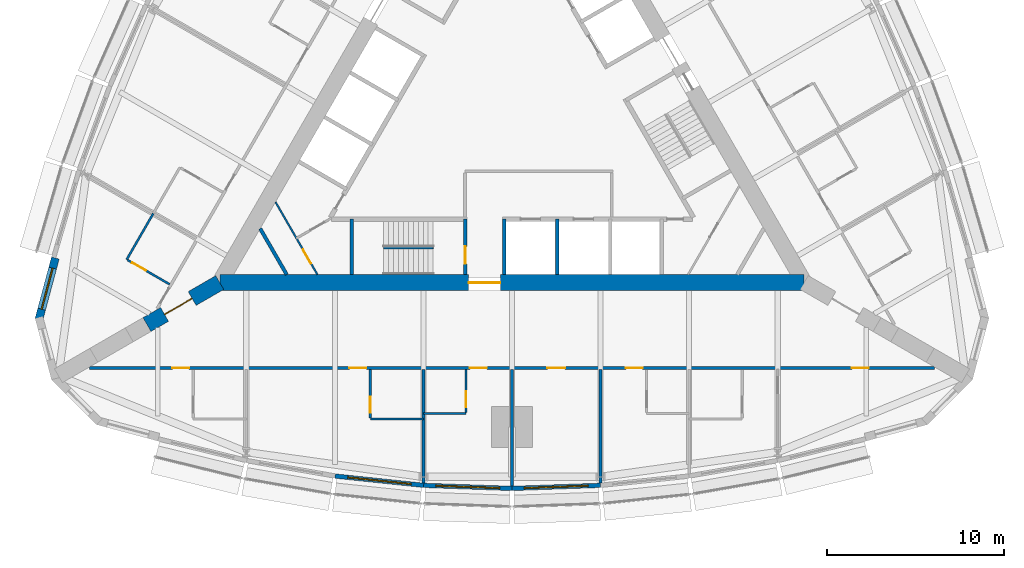
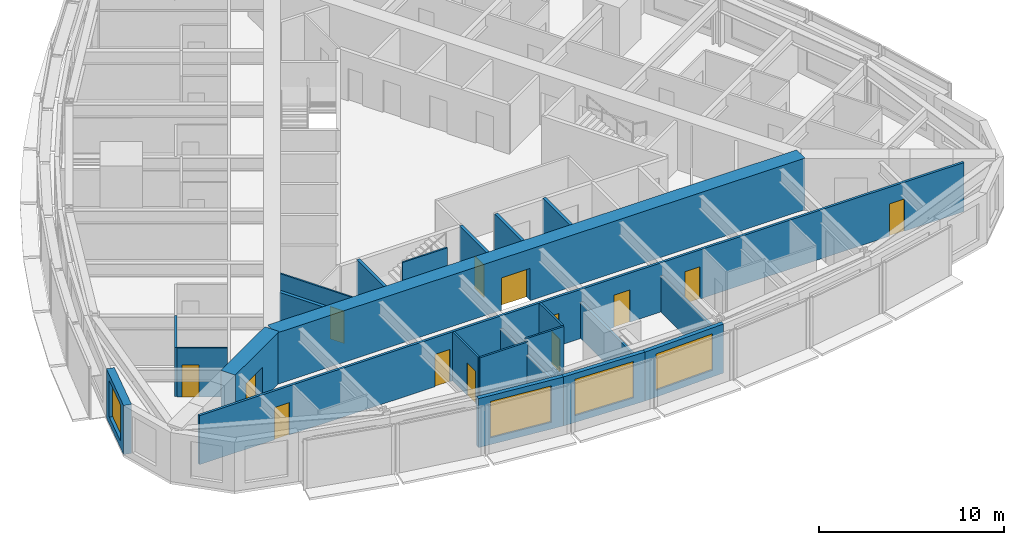
# One storey, part 8 of 14: 23 walls, 13 doors, 4 windows, 17 openings.
"""IFC4 building model written with IfcOpenShell, lengths in metres."""

from ifc_helpers import new_model, si_unit, direction, frame, frame_2d, origin, place, context, subcontext, project, spatial, rectangle, extrude, material, layer, layer_set, type_object, element, fill, save


model = new_model("IFC4")

# Units and contexts
model_context = context("Model", 3, precision=1e-05, world=origin(), true_north=direction((0.0, 1.0)))
body_context = subcontext(model_context, "Body", "Model", "MODEL_VIEW")
ifc_project = project(units=[si_unit("LENGTHUNIT", "METRE"), si_unit("AREAUNIT", "SQUARE_METRE"), si_unit("VOLUMEUNIT", "CUBIC_METRE"), si_unit("PLANEANGLEUNIT", "RADIAN"), si_unit("MASSUNIT", "GRAM", prefix="KILO")], contexts=[model_context])

# Site, building, storey
site_placement = place(None, origin())
site = spatial("IfcSite", under=ifc_project, at=site_placement, CompositionType="ELEMENT")
building_placement = place(site_placement, origin())
building = spatial("IfcBuilding", under=site, at=building_placement, Name="Trikona Tower", CompositionType="ELEMENT")
storey_placement = place(building_placement, frame((0.0, 0.0, 128.300048828125)))
storey = spatial("IfcBuildingStorey", under=building, at=storey_placement, Name="L33", CompositionType="ELEMENT", Elevation=128.300048828125)

# Wall
ifc_material_1 = material(Name="Metal stud and cement board", Category="gypsum")
ifc_layer_1 = layer(ifc_material_1, 0.1201171875)
ifc_layer_set_1 = layer_set([ifc_layer_1], Name="Bathroom wall 120")
wall_type_1 = type_object("IfcWallType", Name="Bathroom wall 120", PredefinedType="PLUMBINGWALL", material=ifc_layer_set_1)
wall_1_placement = place(storey_placement, frame((-8.0, -17.226318359375, 0.0), z_axis=(0.0, 0.0, 1.0), x_axis=(1.0, 0.0, 0.0)))
element("IfcWall", 1, at=wall_1_placement, inside=storey, type_object=wall_type_1, Name="Bathroom wall 3302", PredefinedType="PLUMBINGWALL", context=body_context, shape_type="SweptSolid", body=[
    extrude(rectangle(XDim=3.0, YDim=0.1201171875, at=frame_2d((1.5, 0.0))), origin(), (0.0, 0.0, 1.0), 3.23486328125),
])

# Wall, opening, door
wall_2_placement = place(storey_placement, frame((-8.0, -14.42626953125, 0.0), z_axis=(0.0, 0.0, 1.0), x_axis=(0.0, -1.0, 0.0)))
wall_2 = element("IfcWall", 2, at=wall_2_placement, inside=storey, type_object=wall_type_1, Name="Bathroom wall 3302", PredefinedType="PLUMBINGWALL", context=body_context, shape_type="SweptSolid", body=[
    extrude(rectangle(XDim=2.739990234375, YDim=0.1201171875, at=frame_2d((1.3701171875, 0.0))), origin(), (0.0, 0.0, 1.0), 3.23486328125),
])
opening_1_placement = place(wall_2_placement, frame((1.550048828125, 0.0, 0.0)))
opening_1 = element("IfcOpeningElement", 3, at=opening_1_placement, cuts=wall_2, Name="Opening D2", PredefinedType="OPENING", context=body_context, shape_type="SweptSolid", body=[
    extrude(rectangle(XDim=0.89990234375, YDim=2.1298828125, at=frame_2d((0.449951171875, 1.06494140625))), frame((0.0, 0.070068359375, 0.0), z_axis=(0.0, -1.0, 0.0), x_axis=(1.0, 0.0, 0.0)), (0.0, 0.0, 1.0), 0.14013671875),
])
ifc_material_2 = material(Name="Steel door frame with solid-core timber leaf", Category="steel")
door_type_1 = type_object("IfcDoorType", Name="Bathroom door 900x2130", OperationType="SLIDING_TO_LEFT", PredefinedType="DOOR", material=ifc_material_2)
door_1_placement = place(opening_1_placement, origin())
door_1 = element("IfcDoor", 4, at=door_1_placement, inside=storey, type_object=door_type_1, Name="Bathroom door 3302", OperationType="SLIDING_TO_LEFT", OverallHeight=2.1298828125, OverallWidth=0.89990234375, PredefinedType="DOOR", context=body_context, shape_type="SweptSolid", body=[
    extrude(rectangle(XDim=0.89990234375, YDim=2.1298828125, at=frame_2d((0.449951171875, 1.06494140625))), frame((0.0, 0.02490234375, 0.0), z_axis=(0.0, -1.0, 0.0), x_axis=(1.0, 0.0, 0.0)), (0.0, 0.0, 1.0), 0.050048828125),
])
fill(opening_1, door_1)

# Wall
wall_3_placement = place(storey_placement, frame((-5.0, -16.92626953125, 0.0), z_axis=(0.0, 0.0, 1.0), x_axis=(1.0, 0.0, 0.0)))
element("IfcWall", 5, at=wall_3_placement, inside=storey, type_object=wall_type_1, Name="Bathroom wall 3303", PredefinedType="PLUMBINGWALL", context=body_context, shape_type="SweptSolid", body=[
    extrude(rectangle(XDim=2.39990234375, YDim=0.1201171875, at=frame_2d((1.199951171875, 0.0))), origin(), (0.0, 0.0, 1.0), 3.23486328125),
])

# Wall, opening, door
wall_4_placement = place(storey_placement, frame((-2.60009765625, -14.42626953125, 0.0), z_axis=(0.0, 0.0, 1.0), x_axis=(0.0, -1.0, 0.0)))
wall_4 = element("IfcWall", 6, at=wall_4_placement, inside=storey, type_object=wall_type_1, Name="Bathroom wall 3303", PredefinedType="PLUMBINGWALL", context=body_context, shape_type="SweptSolid", body=[
    extrude(rectangle(XDim=2.43994140625, YDim=0.1201171875, at=frame_2d((1.219970703125, 0.0))), origin(), (0.0, 0.0, 1.0), 3.23486328125),
])
opening_2_placement = place(wall_4_placement, frame((1.25, 0.0, 0.0)))
opening_2 = element("IfcOpeningElement", 7, at=opening_2_placement, cuts=wall_4, Name="Opening D2", PredefinedType="OPENING", context=body_context, shape_type="SweptSolid", body=[
    extrude(rectangle(XDim=0.89990234375, YDim=2.1298828125, at=frame_2d((0.449951171875, 1.06494140625))), frame((0.0, 0.070068359375, 0.0), z_axis=(0.0, -1.0, 0.0), x_axis=(1.0, 0.0, 0.0)), (0.0, 0.0, 1.0), 0.14013671875),
])
door_2_placement = place(opening_2_placement, origin())
door_2 = element("IfcDoor", 8, at=door_2_placement, inside=storey, type_object=door_type_1, Name="Bathroom door 3303", OperationType="SLIDING_TO_LEFT", OverallHeight=2.1298828125, OverallWidth=0.89990234375, PredefinedType="DOOR", context=body_context, shape_type="SweptSolid", body=[
    extrude(rectangle(XDim=0.89990234375, YDim=2.1298828125, at=frame_2d((0.449951171875, 1.06494140625))), frame((0.0, 0.02490234375, 0.0), z_axis=(0.0, -1.0, 0.0), x_axis=(1.0, 0.0, 0.0)), (0.0, 0.0, 1.0), 0.050048828125),
])
fill(opening_2, door_2)

# Wall
wall_5_placement = place(storey_placement, frame((-20.25341796875, -5.627197265625, 0.0), z_axis=(0.0, 0.0, 1.0), x_axis=(-0.499990139034, -0.866031096941, 0.0)))
element("IfcWall", 9, at=wall_5_placement, inside=storey, type_object=wall_type_1, Name="Bathroom wall 3318", PredefinedType="PLUMBINGWALL", context=body_context, shape_type="SweptSolid", body=[
    extrude(rectangle(XDim=3.0, YDim=0.1201171875, at=frame_2d((1.5, 0.0))), origin(), (0.0, 0.0, 1.0), 3.23486328125),
])

# Wall, opening, door
wall_6_placement = place(storey_placement, frame((-19.32861328125, -9.625244140625, 0.0), z_axis=(0.0, 0.0, 1.0), x_axis=(-0.866035715982, 0.499982138324, 0.0)))
wall_6 = element("IfcWall", 10, at=wall_6_placement, inside=storey, type_object=wall_type_1, Name="Bathroom wall 3318", PredefinedType="PLUMBINGWALL", context=body_context, shape_type="SweptSolid", body=[
    extrude(rectangle(XDim=2.73974609375, YDim=0.1201171875, at=frame_2d((1.369873046875, 0.0))), origin(), (0.0, 0.0, 1.0), 3.23486328125),
])
opening_3_placement = place(wall_6_placement, frame((1.550048828125, 0.0, 0.0)))
opening_3 = element("IfcOpeningElement", 11, at=opening_3_placement, cuts=wall_6, Name="Opening D2", PredefinedType="OPENING", context=body_context, shape_type="SweptSolid", body=[
    extrude(rectangle(XDim=0.89990234375, YDim=2.1298828125, at=frame_2d((0.449951171875, 1.06494140625))), frame((0.0, 0.070068359375, 0.0), z_axis=(0.0, -1.0, 0.0), x_axis=(1.0, 0.0, 0.0)), (0.0, 0.0, 1.0), 0.14013671875),
])
door_3_placement = place(opening_3_placement, origin())
door_3 = element("IfcDoor", 12, at=door_3_placement, inside=storey, type_object=door_type_1, Name="Bathroom door 3318", OperationType="SLIDING_TO_LEFT", OverallHeight=2.1298828125, OverallWidth=0.89990234375, PredefinedType="DOOR", context=body_context, shape_type="SweptSolid", body=[
    extrude(rectangle(XDim=0.89990234375, YDim=2.1298828125, at=frame_2d((0.449951171875, 1.06494140625))), frame((0.0, 0.02490234375, 0.0), z_axis=(0.0, -1.0, 0.0), x_axis=(1.0, 0.0, 0.0)), (0.0, 0.0, 1.0), 0.050048828125),
])
fill(opening_3, door_3)

# Wall, opening, window
ifc_material_3 = material(Name="Brick-faced precast concrete", Category="masonry")
ifc_layer_2 = layer(ifc_material_3, 0.449951171875)
ifc_layer_set_2 = layer_set([ifc_layer_2], Name="Brick-faced corner wall 450")
wall_type_2 = type_object("IfcWallType", Name="Brick-faced corner wall 450", PredefinedType="SOLIDWALL", material=ifc_layer_set_2)
wall_7_placement = place(storey_placement, frame((-25.78271484375, -8.14111328125, 0.0), z_axis=(0.0, 0.0, 1.0), x_axis=(-0.258823421857, -0.965924653531, 0.0)))
wall_7 = element("IfcWall", 13, at=wall_7_placement, inside=storey, type_object=wall_type_2, Name="External wall L33-32", PredefinedType="SOLIDWALL", context=body_context, shape_type="SweptSolid", body=[
    extrude(rectangle(XDim=3.58642578125, YDim=0.449951171875, at=frame_2d((1.793212890625, 0.0))), origin(), (0.0, 0.0, 1.0), 3.23486328125),
])
opening_4_placement = place(wall_7_placement, frame((0.593017578125, 0.0, 0.449951171875)))
opening_4 = element("IfcOpeningElement", 14, at=opening_4_placement, cuts=wall_7, Name="Opening W2424", PredefinedType="OPENING", context=body_context, shape_type="SweptSolid", body=[
    extrude(rectangle(XDim=2.39990234375, YDim=2.39990234375, at=frame_2d((1.199951171875, 1.199951171875))), frame((0.0, 0.23486328125, 0.0), z_axis=(0.0, -1.0, 0.0), x_axis=(1.0, 0.0, 0.0)), (0.0, 0.0, 1.0), 0.469970703125),
])
ifc_material_4 = material(Name="Aluminium-framed double glazing", Category="aluminium")
window_type_1 = type_object("IfcWindowType", Name="Window 2400x2400", PartitioningType="SINGLE_PANEL", PredefinedType="WINDOW", material=ifc_material_4)
window_1_placement = place(opening_4_placement, origin())
window_1 = element("IfcWindow", 15, at=window_1_placement, inside=storey, type_object=window_type_1, Name="Window 3318", OverallHeight=2.39990234375, OverallWidth=2.39990234375, PartitioningType="SINGLE_PANEL", PredefinedType="WINDOW", context=body_context, shape_type="SweptSolid", body=[
    extrude(rectangle(XDim=2.39990234375, YDim=2.39990234375, at=frame_2d((1.199951171875, 1.199951171875))), frame((0.0, 0.030029296875, 0.0), z_axis=(0.0, -1.0, 0.0), x_axis=(1.0, 0.0, 0.0)), (0.0, 0.0, 1.0), 0.06005859375),
])
fill(opening_4, window_1)

# Wall, opening, door
ifc_material_5 = material(Name="Concrete f'c 10000 psi", Category="concrete")
ifc_layer_3 = layer(ifc_material_5, 0.89990234375)
ifc_layer_set_3 = layer_set([ifc_layer_3], Name="Buttress wall 900")
wall_type_3 = type_object("IfcWallType", Name="Buttress wall 900", PredefinedType="SHEAR", material=ifc_layer_set_3)
wall_8_placement = place(storey_placement, frame((-16.5, -9.5263671875, 0.0), z_axis=(0.0, 0.0, 1.0), x_axis=(-0.866031398331, -0.499989616998, 0.0)))
wall_8 = element("IfcWall", 16, at=wall_8_placement, inside=storey, type_object=wall_type_3, Name="Buttress wall 3", PredefinedType="SHEAR", context=body_context, shape_type="SweptSolid", body=[
    extrude(rectangle(XDim=4.74609375, YDim=0.89990234375, at=frame_2d((2.373046875, 0.0))), origin(), (0.0, 0.0, 1.0), 3.39990234375),
])
opening_5_placement = place(wall_8_placement, frame((1.800048828125, 0.0, 0.0)))
opening_5 = element("IfcOpeningElement", 17, at=opening_5_placement, cuts=wall_8, Name="Opening D10", PredefinedType="OPENING", context=body_context, shape_type="SweptSolid", body=[
    extrude(rectangle(XDim=1.800048828125, YDim=2.1298828125, at=frame_2d((0.89990234375, 1.06494140625))), frame((0.0, 0.4599609375, 0.0), z_axis=(0.0, -1.0, 0.0), x_axis=(1.0, 0.0, 0.0)), (0.0, 0.0, 1.0), 0.919921875),
])
ifc_material_6 = material(Name="Hollow metal door and frame", Category="steel")
door_type_2 = type_object("IfcDoorType", Name="Cross-corridor door pair 1800x2130", OperationType="DOUBLE_DOOR_DOUBLE_SWING", PredefinedType="DOOR", material=ifc_material_6)
door_4_placement = place(opening_5_placement, origin())
door_4 = element("IfcDoor", 18, at=door_4_placement, inside=storey, type_object=door_type_2, Name="Cross-corridor door 3", OperationType="DOUBLE_DOOR_DOUBLE_SWING", OverallHeight=2.1298828125, OverallWidth=1.800048828125, PredefinedType="DOOR", context=body_context, shape_type="SweptSolid", body=[
    extrude(rectangle(XDim=1.800048828125, YDim=2.1298828125, at=frame_2d((0.89990234375, 1.06494140625))), frame((0.0, 0.02490234375, 0.0), z_axis=(0.0, -1.0, 0.0), x_axis=(1.0, 0.0, 0.0)), (0.0, 0.0, 1.0), 0.050048828125),
])
fill(opening_5, door_4)

ifc_material_7 = material(Name="Concrete f'c 10000 psi", Category="concrete")
ifc_layer_4 = layer(ifc_material_7, 0.89990234375)
ifc_layer_set_4 = layer_set([ifc_layer_4], Name="Core wall 900")
wall_type_4 = type_object("IfcWallType", Name="Core wall 900", PredefinedType="SHEAR", material=ifc_layer_set_4)
wall_9_placement = place(storey_placement, frame((-16.5, -9.5263671875, 0.0), z_axis=(0.0, 0.0, 1.0), x_axis=(1.0, 0.0, 0.0)))
wall_9 = element("IfcWall", 19, at=wall_9_placement, inside=storey, type_object=wall_type_4, Name="Core wall A", PredefinedType="SHEAR", context=body_context, shape_type="SweptSolid", body=[
    extrude(rectangle(XDim=33.0, YDim=0.89990234375, at=frame_2d((16.5, 0.0))), origin(), (0.0, 0.0, 1.0), 3.39990234375),
])
opening_6_placement = place(wall_9_placement, frame((14.050048828125, 0.0, 0.0)))
opening_6 = element("IfcOpeningElement", 20, at=opening_6_placement, cuts=wall_9, Name="Opening D6", PredefinedType="OPENING", context=body_context, shape_type="SweptSolid", body=[
    extrude(rectangle(XDim=1.800048828125, YDim=2.1298828125, at=frame_2d((0.89990234375, 1.06494140625))), frame((0.0, 0.4599609375, 0.0), z_axis=(0.0, -1.0, 0.0), x_axis=(1.0, 0.0, 0.0)), (0.0, 0.0, 1.0), 0.919921875),
])
ifc_material_8 = material(Name="Hollow metal door and frame", Category="steel")
door_type_3 = type_object("IfcDoorType", Name="Lobby door pair 1800x2130", OperationType="DOUBLE_DOOR_SINGLE_SWING", PredefinedType="DOOR", material=ifc_material_8)
door_5_placement = place(opening_6_placement, origin())
door_5 = element("IfcDoor", 21, at=door_5_placement, inside=storey, type_object=door_type_3, Name="Fire service lift lobby door", OperationType="DOUBLE_DOOR_SINGLE_SWING", OverallHeight=2.1298828125, OverallWidth=1.800048828125, PredefinedType="DOOR", context=body_context, shape_type="SweptSolid", body=[
    extrude(rectangle(XDim=1.800048828125, YDim=2.1298828125, at=frame_2d((0.89990234375, 1.06494140625))), frame((0.0, 0.02490234375, 0.0), z_axis=(0.0, -1.0, 0.0), x_axis=(1.0, 0.0, 0.0)), (0.0, 0.0, 1.0), 0.050048828125),
])
fill(opening_6, door_5)

# Wall, openings, doors
ifc_material_9 = material(Name="Metal stud and gypsum board, 1-hour", Category="gypsum")
ifc_layer_5 = layer(ifc_material_9, 0.14990234375)
ifc_layer_set_5 = layer_set([ifc_layer_5], Name="Corridor wall 150")
wall_type_5 = type_object("IfcWallType", Name="Corridor wall 150", PredefinedType="PARTITIONING", material=ifc_layer_set_5)
wall_10_placement = place(storey_placement, frame((-23.857177734375, -14.351318359375, 0.0), z_axis=(0.0, 0.0, 1.0), x_axis=(1.0, 0.0, 0.0)))
wall_10 = element("IfcWall", 22, at=wall_10_placement, inside=storey, type_object=wall_type_5, Name="Corridor wall L33-1", PredefinedType="PARTITIONING", context=body_context, shape_type="SweptSolid", body=[
    extrude(rectangle(XDim=47.71435546875, YDim=0.14990234375, at=frame_2d((23.857177734375, 0.0))), origin(), (0.0, 0.0, 1.0), 3.23486328125),
])
opening_7_placement = place(wall_10_placement, frame((4.68212890625, 0.0, 0.0)))
opening_7 = element("IfcOpeningElement", 23, at=opening_7_placement, cuts=wall_10, Name="Opening D1", PredefinedType="OPENING", context=body_context, shape_type="SweptSolid", body=[
    extrude(rectangle(XDim=0.949951171875, YDim=2.1298828125, at=frame_2d((0.47509765625, 1.06494140625))), frame((0.0, 0.0849609375, 0.0), z_axis=(0.0, -1.0, 0.0), x_axis=(1.0, 0.0, 0.0)), (0.0, 0.0, 1.0), 0.169921875),
])
opening_8_placement = place(wall_10_placement, frame((14.68212890625, 0.0, 0.0)))
opening_8 = element("IfcOpeningElement", 24, at=opening_8_placement, cuts=wall_10, Name="Opening D1", PredefinedType="OPENING", context=body_context, shape_type="SweptSolid", body=[
    extrude(rectangle(XDim=0.949951171875, YDim=2.1298828125, at=frame_2d((0.47509765625, 1.06494140625))), frame((0.0, 0.0849609375, 0.0), z_axis=(0.0, -1.0, 0.0), x_axis=(1.0, 0.0, 0.0)), (0.0, 0.0, 1.0), 0.169921875),
])
opening_9_placement = place(wall_10_placement, frame((21.482177734375, 0.0, 0.0)))
opening_9 = element("IfcOpeningElement", 25, at=opening_9_placement, cuts=wall_10, Name="Opening D1", PredefinedType="OPENING", context=body_context, shape_type="SweptSolid", body=[
    extrude(rectangle(XDim=0.949951171875, YDim=2.1298828125, at=frame_2d((0.47509765625, 1.06494140625))), frame((0.0, 0.0849609375, 0.0), z_axis=(0.0, -1.0, 0.0), x_axis=(1.0, 0.0, 0.0)), (0.0, 0.0, 1.0), 0.169921875),
])
opening_10_placement = place(wall_10_placement, frame((25.857177734375, 0.0, 0.0)))
opening_10 = element("IfcOpeningElement", 26, at=opening_10_placement, cuts=wall_10, Name="Opening D3", PredefinedType="OPENING", context=body_context, shape_type="SweptSolid", body=[
    extrude(rectangle(XDim=1.0, YDim=2.1298828125, at=frame_2d((0.5, 1.06494140625))), frame((0.0, 0.0849609375, 0.0), z_axis=(0.0, -1.0, 0.0), x_axis=(1.0, 0.0, 0.0)), (0.0, 0.0, 1.0), 0.169921875),
])
opening_11_placement = place(wall_10_placement, frame((30.281982421875, 0.0, 0.0)))
opening_11 = element("IfcOpeningElement", 27, at=opening_11_placement, cuts=wall_10, Name="Opening D1", PredefinedType="OPENING", context=body_context, shape_type="SweptSolid", body=[
    extrude(rectangle(XDim=0.949951171875, YDim=2.1298828125, at=frame_2d((0.47509765625, 1.06494140625))), frame((0.0, 0.0849609375, 0.0), z_axis=(0.0, -1.0, 0.0), x_axis=(1.0, 0.0, 0.0)), (0.0, 0.0, 1.0), 0.169921875),
])
opening_12_placement = place(wall_10_placement, frame((43.041015625, 0.0, 0.0)))
opening_12 = element("IfcOpeningElement", 28, at=opening_12_placement, cuts=wall_10, Name="Opening D1", PredefinedType="OPENING", context=body_context, shape_type="SweptSolid", body=[
    extrude(rectangle(XDim=0.949951171875, YDim=2.1298828125, at=frame_2d((0.47509765625, 1.06494140625))), frame((0.0, 0.0849609375, 0.0), z_axis=(0.0, -1.0, 0.0), x_axis=(1.0, 0.0, 0.0)), (0.0, 0.0, 1.0), 0.169921875),
])
ifc_material_10 = material(Name="Steel door frame with solid-core timber leaf", Category="steel")
door_type_4 = type_object("IfcDoorType", Name="Guest room door 950x2130", OperationType="SINGLE_SWING_LEFT", PredefinedType="DOOR", material=ifc_material_10)
door_6_placement = place(opening_7_placement, origin())
door_6 = element("IfcDoor", 29, at=door_6_placement, inside=storey, type_object=door_type_4, Name="Room door 3301", OperationType="SINGLE_SWING_LEFT", OverallHeight=2.1298828125, OverallWidth=0.949951171875, PredefinedType="DOOR", context=body_context, shape_type="SweptSolid", body=[
    extrude(rectangle(XDim=0.949951171875, YDim=2.1298828125, at=frame_2d((0.47509765625, 1.06494140625))), frame((0.0, 0.02490234375, 0.0), z_axis=(0.0, -1.0, 0.0), x_axis=(1.0, 0.0, 0.0)), (0.0, 0.0, 1.0), 0.050048828125),
])
fill(opening_7, door_6)
door_7_placement = place(opening_8_placement, origin())
door_7 = element("IfcDoor", 30, at=door_7_placement, inside=storey, type_object=door_type_4, Name="Room door 3302", OperationType="SINGLE_SWING_RIGHT", OverallHeight=2.1298828125, OverallWidth=0.949951171875, PredefinedType="DOOR", context=body_context, shape_type="SweptSolid", body=[
    extrude(rectangle(XDim=0.949951171875, YDim=2.1298828125, at=frame_2d((0.47509765625, 1.06494140625))), frame((0.0, 0.02490234375, 0.0), z_axis=(0.0, -1.0, 0.0), x_axis=(1.0, 0.0, 0.0)), (0.0, 0.0, 1.0), 0.050048828125),
])
fill(opening_8, door_7)
door_8_placement = place(opening_9_placement, origin())
door_8 = element("IfcDoor", 31, at=door_8_placement, inside=storey, type_object=door_type_4, Name="Room door 3303", OperationType="SINGLE_SWING_LEFT", OverallHeight=2.1298828125, OverallWidth=0.949951171875, PredefinedType="DOOR", context=body_context, shape_type="SweptSolid", body=[
    extrude(rectangle(XDim=0.949951171875, YDim=2.1298828125, at=frame_2d((0.47509765625, 1.06494140625))), frame((0.0, 0.02490234375, 0.0), z_axis=(0.0, -1.0, 0.0), x_axis=(1.0, 0.0, 0.0)), (0.0, 0.0, 1.0), 0.050048828125),
])
fill(opening_9, door_8)
door_9_placement = place(opening_11_placement, origin())
door_9 = element("IfcDoor", 32, at=door_9_placement, inside=storey, type_object=door_type_4, Name="Room door 3304", OperationType="SINGLE_SWING_LEFT", OverallHeight=2.1298828125, OverallWidth=0.949951171875, PredefinedType="DOOR", context=body_context, shape_type="SweptSolid", body=[
    extrude(rectangle(XDim=0.949951171875, YDim=2.1298828125, at=frame_2d((0.47509765625, 1.06494140625))), frame((0.0, 0.02490234375, 0.0), z_axis=(0.0, -1.0, 0.0), x_axis=(1.0, 0.0, 0.0)), (0.0, 0.0, 1.0), 0.050048828125),
])
fill(opening_11, door_9)
door_10_placement = place(opening_12_placement, origin())
door_10 = element("IfcDoor", 33, at=door_10_placement, inside=storey, type_object=door_type_4, Name="Room door 3305", OperationType="SINGLE_SWING_RIGHT", OverallHeight=2.1298828125, OverallWidth=0.949951171875, PredefinedType="DOOR", context=body_context, shape_type="SweptSolid", body=[
    extrude(rectangle(XDim=0.949951171875, YDim=2.1298828125, at=frame_2d((0.47509765625, 1.06494140625))), frame((0.0, 0.02490234375, 0.0), z_axis=(0.0, -1.0, 0.0), x_axis=(1.0, 0.0, 0.0)), (0.0, 0.0, 1.0), 0.050048828125),
])
fill(opening_12, door_10)
ifc_material_11 = material(Name="Steel door frame with solid-core timber leaf", Category="steel")
door_type_5 = type_object("IfcDoorType", Name="Room door 1000x2130", OperationType="SINGLE_SWING_LEFT", PredefinedType="DOOR", material=ifc_material_11)
door_11_placement = place(opening_10_placement, origin())
door_11 = element("IfcDoor", 34, at=door_11_placement, inside=storey, type_object=door_type_5, Name="Door Housekeeping pantry", OperationType="SINGLE_SWING_RIGHT", OverallHeight=2.1298828125, OverallWidth=1.0, PredefinedType="DOOR", context=body_context, shape_type="SweptSolid", body=[
    extrude(rectangle(XDim=1.0, YDim=2.1298828125, at=frame_2d((0.5, 1.06494140625))), frame((0.0, 0.02490234375, 0.0), z_axis=(0.0, -1.0, 0.0), x_axis=(1.0, 0.0, 0.0)), (0.0, 0.0, 1.0), 0.050048828125),
])
fill(opening_10, door_11)

# Wall, opening, window
ifc_material_12 = material(Name="Insulated precast concrete spandrel panel", Category="concrete")
ifc_layer_6 = layer(ifc_material_12, 0.25)
ifc_layer_set_6 = layer_set([ifc_layer_6], Name="Inner skin wall 250")
wall_type_6 = type_object("IfcWallType", Name="Inner skin wall 250", PredefinedType="STANDARD", material=ifc_layer_set_6)
wall_11_placement = place(storey_placement, frame((-9.98681640625, -20.450927734375, 0.0), z_axis=(0.0, 0.0, 1.0), x_axis=(0.994534683851, -0.104406717299, 0.0)))
wall_11 = element("IfcWall", 35, at=wall_11_placement, inside=storey, type_object=wall_type_6, Name="External wall L33-02", PredefinedType="STANDARD", context=body_context, shape_type="SweptSolid", body=[
    extrude(rectangle(XDim=5.027587890625, YDim=0.25, at=frame_2d((2.513671875, 0.0))), origin(), (0.0, 0.0, 1.0), 3.23486328125),
])
opening_13_placement = place(wall_11_placement, frame((0.713623046875, 0.0, 0.449951171875)))
opening_13 = element("IfcOpeningElement", 36, at=opening_13_placement, cuts=wall_11, Name="Opening W3624", PredefinedType="OPENING", context=body_context, shape_type="SweptSolid", body=[
    extrude(rectangle(XDim=3.60009765625, YDim=2.39990234375, at=frame_2d((1.800048828125, 1.199951171875))), frame((0.0, 0.135009765625, 0.0), z_axis=(0.0, -1.0, 0.0), x_axis=(1.0, 0.0, 0.0)), (0.0, 0.0, 1.0), 0.27001953125),
])
ifc_material_13 = material(Name="Aluminium-framed double glazing", Category="aluminium")
window_type_2 = type_object("IfcWindowType", Name="Window 3600x2400", PartitioningType="SINGLE_PANEL", PredefinedType="WINDOW", material=ifc_material_13)
window_2_placement = place(opening_13_placement, origin())
window_2 = element("IfcWindow", 37, at=window_2_placement, inside=storey, type_object=window_type_2, Name="Window 3302", OverallHeight=2.39990234375, OverallWidth=3.60009765625, PartitioningType="SINGLE_PANEL", PredefinedType="WINDOW", context=body_context, shape_type="SweptSolid", body=[
    extrude(rectangle(XDim=3.60009765625, YDim=2.39990234375, at=frame_2d((1.800048828125, 1.199951171875))), frame((0.0, 0.030029296875, 0.0), z_axis=(0.0, -1.0, 0.0), x_axis=(1.0, 0.0, 0.0)), (0.0, 0.0, 1.0), 0.06005859375),
])
fill(opening_13, window_2)

wall_12_placement = place(storey_placement, frame((-4.99560546875, -20.975341796875, 0.0), z_axis=(0.0, 0.0, 1.0), x_axis=(0.999387720943, -0.034988329879, 0.0)))
wall_12 = element("IfcWall", 38, at=wall_12_placement, inside=storey, type_object=wall_type_6, Name="External wall L33-03", PredefinedType="STANDARD", context=body_context, shape_type="SweptSolid", body=[
    extrude(rectangle(XDim=5.003173828125, YDim=0.25, at=frame_2d((2.50146484375, 0.0))), origin(), (0.0, 0.0, 1.0), 3.23486328125),
])
opening_14_placement = place(wall_12_placement, frame((0.701416015625, 0.0, 0.449951171875)))
opening_14 = element("IfcOpeningElement", 39, at=opening_14_placement, cuts=wall_12, Name="Opening W3624", PredefinedType="OPENING", context=body_context, shape_type="SweptSolid", body=[
    extrude(rectangle(XDim=3.60009765625, YDim=2.39990234375, at=frame_2d((1.800048828125, 1.199951171875))), frame((0.0, 0.135009765625, 0.0), z_axis=(0.0, -1.0, 0.0), x_axis=(1.0, 0.0, 0.0)), (0.0, 0.0, 1.0), 0.27001953125),
])
window_3_placement = place(opening_14_placement, origin())
window_3 = element("IfcWindow", 40, at=window_3_placement, inside=storey, type_object=window_type_2, Name="Window 3303", OverallHeight=2.39990234375, OverallWidth=3.60009765625, PartitioningType="SINGLE_PANEL", PredefinedType="WINDOW", context=body_context, shape_type="SweptSolid", body=[
    extrude(rectangle(XDim=3.60009765625, YDim=2.39990234375, at=frame_2d((1.800048828125, 1.199951171875))), frame((0.0, 0.030029296875, 0.0), z_axis=(0.0, -1.0, 0.0), x_axis=(1.0, 0.0, 0.0)), (0.0, 0.0, 1.0), 0.06005859375),
])
fill(opening_14, window_3)

wall_13_placement = place(storey_placement, frame((-0.00439453125, -21.150390625, 0.0), z_axis=(0.0, 0.0, 1.0), x_axis=(0.999387720943, 0.034988329879, 0.0)))
wall_13 = element("IfcWall", 41, at=wall_13_placement, inside=storey, type_object=wall_type_6, Name="External wall L33-04", PredefinedType="STANDARD", context=body_context, shape_type="SweptSolid", body=[
    extrude(rectangle(XDim=5.003173828125, YDim=0.25, at=frame_2d((2.50146484375, 0.0))), origin(), (0.0, 0.0, 1.0), 3.23486328125),
])
opening_15_placement = place(wall_13_placement, frame((0.701416015625, 0.0, 0.449951171875)))
opening_15 = element("IfcOpeningElement", 42, at=opening_15_placement, cuts=wall_13, Name="Opening W3624", PredefinedType="OPENING", context=body_context, shape_type="SweptSolid", body=[
    extrude(rectangle(XDim=3.60009765625, YDim=2.39990234375, at=frame_2d((1.800048828125, 1.199951171875))), frame((0.0, 0.135009765625, 0.0), z_axis=(0.0, -1.0, 0.0), x_axis=(1.0, 0.0, 0.0)), (0.0, 0.0, 1.0), 0.27001953125),
])
window_4_placement = place(opening_15_placement, origin())
window_4 = element("IfcWindow", 43, at=window_4_placement, inside=storey, type_object=window_type_2, Name="Window L33-HKP", OverallHeight=2.39990234375, OverallWidth=3.60009765625, PartitioningType="SINGLE_PANEL", PredefinedType="WINDOW", context=body_context, shape_type="SweptSolid", body=[
    extrude(rectangle(XDim=3.60009765625, YDim=2.39990234375, at=frame_2d((1.800048828125, 1.199951171875))), frame((0.0, 0.030029296875, 0.0), z_axis=(0.0, -1.0, 0.0), x_axis=(1.0, 0.0, 0.0)), (0.0, 0.0, 1.0), 0.06005859375),
])
fill(opening_15, window_4)

# Walls
ifc_material_14 = material(Name="Metal stud and gypsum board, 1-hour acoustic", Category="gypsum")
ifc_layer_7 = layer(ifc_material_14, 0.14990234375)
ifc_layer_set_7 = layer_set([ifc_layer_7], Name="Party wall 150")
wall_type_7 = type_object("IfcWallType", Name="Party wall 150", PredefinedType="PARTITIONING", material=ifc_layer_set_7)
wall_14_placement = place(storey_placement, frame((-5.0, -14.42626953125, 0.0), z_axis=(0.0, 0.0, 1.0), x_axis=(0.0, -1.0, 0.0)))
element("IfcWall", 44, at=wall_14_placement, inside=storey, type_object=wall_type_7, Name="Partition L33 F1 u-5", PredefinedType="PARTITIONING", context=body_context, shape_type="SweptSolid", body=[
    extrude(rectangle(XDim=6.422607421875, YDim=0.14990234375, at=frame_2d((3.21142578125, 0.0))), origin(), (0.0, 0.0, 1.0), 2.38916015625),
])
wall_15_placement = place(storey_placement, frame((0.0, -14.42626953125, 0.0), z_axis=(0.0, 0.0, 1.0), x_axis=(0.0, -1.0, 0.0)))
element("IfcWall", 45, at=wall_15_placement, inside=storey, type_object=wall_type_7, Name="Partition L33 F1 u-9.86076e-31", PredefinedType="PARTITIONING", context=body_context, shape_type="SweptSolid", body=[
    extrude(rectangle(XDim=6.5986328125, YDim=0.14990234375, at=frame_2d((3.29931640625, 0.0))), origin(), (0.0, 0.0, 1.0), 2.38916015625),
])
wall_16_placement = place(storey_placement, frame((5.0, -14.42626953125, 0.0), z_axis=(0.0, 0.0, 1.0), x_axis=(0.0, -1.0, 0.0)))
element("IfcWall", 46, at=wall_16_placement, inside=storey, type_object=wall_type_7, Name="Partition L33 F1 u5", PredefinedType="PARTITIONING", context=body_context, shape_type="SweptSolid", body=[
    extrude(rectangle(XDim=6.422607421875, YDim=0.14990234375, at=frame_2d((3.21142578125, 0.0))), origin(), (0.0, 0.0, 1.0), 2.38916015625),
])
ifc_material_15 = material(Name="Concrete f'c 8000 psi", Category="concrete")
ifc_layer_8 = layer(ifc_material_15, 0.199951171875)
ifc_layer_set_8 = layer_set([ifc_layer_8], Name="Shaft wall 200")
wall_type_8 = type_object("IfcWallType", Name="Shaft wall 200", PredefinedType="SOLIDWALL", material=ifc_layer_set_8)
for number, where, z_axis, x_axis, name in (
    (47, (-0.449951171875, -5.951416015625, 0.0), (0.0, 0.0, 1.0), (0.0, -1.0, 0.0), "Shaft wall A3"),
    (48, (2.550048828125, -5.951416015625, 0.0), (0.0, 0.0, 1.0), (0.0, -1.0, 0.0), "Shaft wall A4"),
):
    element("IfcWall", number, at=place(storey_placement, frame(where, z_axis=z_axis, x_axis=x_axis)), inside=storey, type_object=wall_type_8, Name=name, PredefinedType="SOLIDWALL", context=body_context, shape_type="SweptSolid", body=[
        extrude(rectangle(XDim=3.125, YDim=0.199951171875, at=frame_2d((1.5625, 0.0))), origin(), (0.0, 0.0, 1.0), 3.23486328125),
    ])
wall_17_placement = place(storey_placement, frame((-12.718505859375, -9.076416015625, 0.0), z_axis=(0.0, 0.0, 1.0), x_axis=(-0.499952404951, 0.866052881055, 0.0)))
element("IfcWall", 49, at=wall_17_placement, inside=storey, type_object=wall_type_8, Name="Riser wall L33-RS3", PredefinedType="SOLIDWALL", context=body_context, shape_type="SweptSolid", body=[
    extrude(rectangle(XDim=3.002197265625, YDim=0.199951171875, at=frame_2d((1.5009765625, 0.0))), origin(), (0.0, 0.0, 1.0), 3.23486328125),
])
ifc_material_16 = material(Name="Concrete f'c 8000 psi", Category="concrete")
ifc_layer_9 = layer(ifc_material_16, 0.199951171875)
ifc_layer_set_9 = layer_set([ifc_layer_9], Name="Shaft wall 200 load-bearing")
wall_type_9 = type_object("IfcWallType", Name="Shaft wall 200 load-bearing", PredefinedType="SOLIDWALL", material=ifc_layer_set_9)
wall_18_placement = place(storey_placement, frame((-9.050048828125, -5.951416015625, 0.0), z_axis=(0.0, 0.0, 1.0), x_axis=(0.0, -1.0, 0.0)))
element("IfcWall", 50, at=wall_18_placement, inside=storey, type_object=wall_type_9, Name="Shaft wall A1", PredefinedType="SOLIDWALL", context=body_context, shape_type="SweptSolid", body=[
    extrude(rectangle(XDim=3.125, YDim=0.199951171875, at=frame_2d((1.5625, 0.0))), origin(), (0.0, 0.0, 1.0), 3.23486328125),
])

# Wall, opening, door
wall_19_placement = place(storey_placement, frame((-2.64990234375, -5.951416015625, 0.0), z_axis=(0.0, 0.0, 1.0), x_axis=(0.0, -1.0, 0.0)))
wall_19 = element("IfcWall", 51, at=wall_19_placement, inside=storey, type_object=wall_type_9, Name="Shaft wall A2", PredefinedType="SOLIDWALL", context=body_context, shape_type="SweptSolid", body=[
    extrude(rectangle(XDim=3.125, YDim=0.199951171875, at=frame_2d((1.5625, 0.0))), origin(), (0.0, 0.0, 1.0), 3.23486328125),
])
opening_16_placement = place(wall_19_placement, frame((1.52490234375, 0.0, 0.0)))
opening_16 = element("IfcOpeningElement", 52, at=opening_16_placement, cuts=wall_19, Name="Opening D5", PredefinedType="OPENING", context=body_context, shape_type="SweptSolid", body=[
    extrude(rectangle(XDim=1.0, YDim=2.1298828125, at=frame_2d((0.5, 1.06494140625))), frame((0.0, 0.10986328125, 0.0), z_axis=(0.0, -1.0, 0.0), x_axis=(1.0, 0.0, 0.0)), (0.0, 0.0, 1.0), 0.219970703125),
])
ifc_material_17 = material(Name="Hollow metal door and frame", Category="steel")
door_type_6 = type_object("IfcDoorType", Name="Stair door 1000x2130", OperationType="SINGLE_SWING_LEFT", PredefinedType="DOOR", material=ifc_material_17)
door_12_placement = place(opening_16_placement, origin())
door_12 = element("IfcDoor", 53, at=door_12_placement, inside=storey, type_object=door_type_6, Name="Stair A door", OperationType="SINGLE_SWING_RIGHT", OverallHeight=2.1298828125, OverallWidth=1.0, PredefinedType="DOOR", context=body_context, shape_type="SweptSolid", body=[
    extrude(rectangle(XDim=1.0, YDim=2.1298828125, at=frame_2d((0.5, 1.06494140625))), frame((0.0, 0.02490234375, 0.0), z_axis=(0.0, -1.0, 0.0), x_axis=(1.0, 0.0, 0.0)), (0.0, 0.0, 1.0), 0.050048828125),
])
fill(opening_16, door_12)

# Wall
ifc_material_18 = material(Name="Concrete f'c 5000 psi", Category="concrete")
ifc_layer_10 = layer(ifc_material_18, 0.10009765625)
ifc_layer_set_10 = layer_set([ifc_layer_10], Name="Stair spine wall 100")
wall_type_10 = type_object("IfcWallType", Name="Stair spine wall 100", PredefinedType="SOLIDWALL", material=ifc_layer_set_10)
wall_20_placement = place(storey_placement, frame((-7.2470703125, -7.576416015625, 0.0), z_axis=(0.0, 0.0, 1.0), x_axis=(1.0, 0.0, 0.0)))
element("IfcWall", 54, at=wall_20_placement, inside=storey, type_object=wall_type_10, Name="Stair A spine wall L33", PredefinedType="SOLIDWALL", context=body_context, shape_type="SweptSolid", body=[
    extrude(rectangle(XDim=2.794189453125, YDim=0.10009765625, at=frame_2d((1.39697265625, 0.0))), origin(), (0.0, 0.0, 1.0), 3.39990234375),
])

# Wall, opening, door
ifc_material_19 = material(Name="Metal stud and gypsum board, acoustic", Category="gypsum")
ifc_layer_11 = layer(ifc_material_19, 0.10009765625)
ifc_layer_set_11 = layer_set([ifc_layer_11], Name="Suite partition 100")
wall_type_11 = type_object("IfcWallType", Name="Suite partition 100", PredefinedType="PARTITIONING", material=ifc_layer_set_11)
wall_21_placement = place(storey_placement, frame((-10.986328125, -9.076416015625, 0.0), z_axis=(0.0, 0.0, 1.0), x_axis=(-0.499999210213, 0.866025859768, 0.0)))
wall_21 = element("IfcWall", 55, at=wall_21_placement, inside=storey, type_object=wall_type_11, Name="Store partition L33-RS3", PredefinedType="PARTITIONING", context=body_context, shape_type="SweptSolid", body=[
    extrude(rectangle(XDim=4.734375, YDim=0.10009765625, at=frame_2d((2.3671875, 0.0))), origin(), (0.0, 0.0, 1.0), 3.23486328125),
])
opening_17_placement = place(wall_21_placement, frame((0.733642578125, 0.0, 0.0)))
opening_17 = element("IfcOpeningElement", 56, at=opening_17_placement, cuts=wall_21, Name="Opening D15", PredefinedType="OPENING", context=body_context, shape_type="SweptSolid", body=[
    extrude(rectangle(XDim=0.89990234375, YDim=2.1298828125, at=frame_2d((0.449951171875, 1.06494140625))), frame((0.0, 0.06005859375, 0.0), z_axis=(0.0, -1.0, 0.0), x_axis=(1.0, 0.0, 0.0)), (0.0, 0.0, 1.0), 0.1201171875),
])
ifc_material_20 = material(Name="Steel door frame with solid-core timber leaf", Category="steel")
door_type_7 = type_object("IfcDoorType", Name="Store door 900x2130", OperationType="SINGLE_SWING_LEFT", PredefinedType="DOOR", material=ifc_material_20)
door_13_placement = place(opening_17_placement, origin())
door_13 = element("IfcDoor", 57, at=door_13_placement, inside=storey, type_object=door_type_7, Name="Door Cleaner's store CLN", OperationType="SINGLE_SWING_LEFT", OverallHeight=2.1298828125, OverallWidth=0.89990234375, PredefinedType="DOOR", context=body_context, shape_type="SweptSolid", body=[
    extrude(rectangle(XDim=0.89990234375, YDim=2.1298828125, at=frame_2d((0.449951171875, 1.06494140625))), frame((0.0, 0.02490234375, 0.0), z_axis=(0.0, -1.0, 0.0), x_axis=(1.0, 0.0, 0.0)), (0.0, 0.0, 1.0), 0.050048828125),
])
fill(opening_17, door_13)

save(model, "model.ifc")
